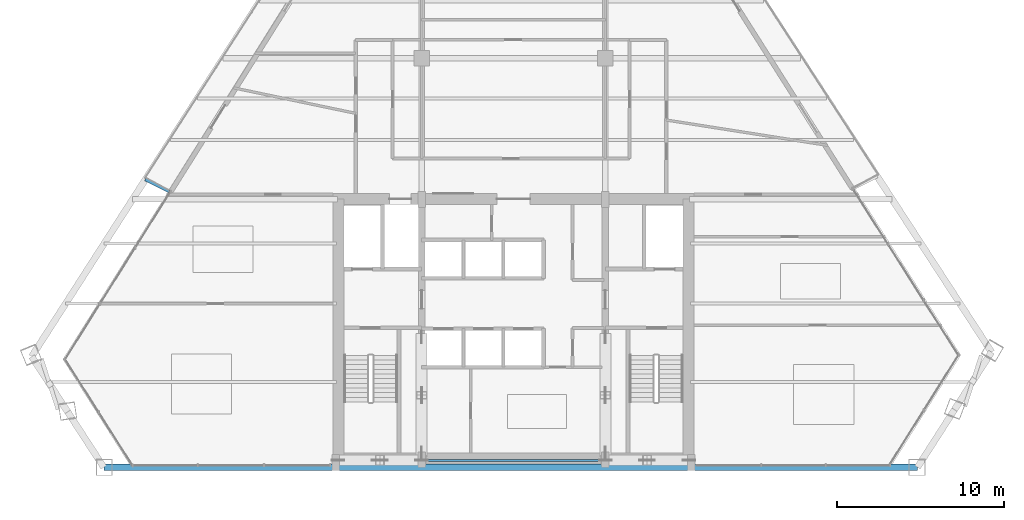
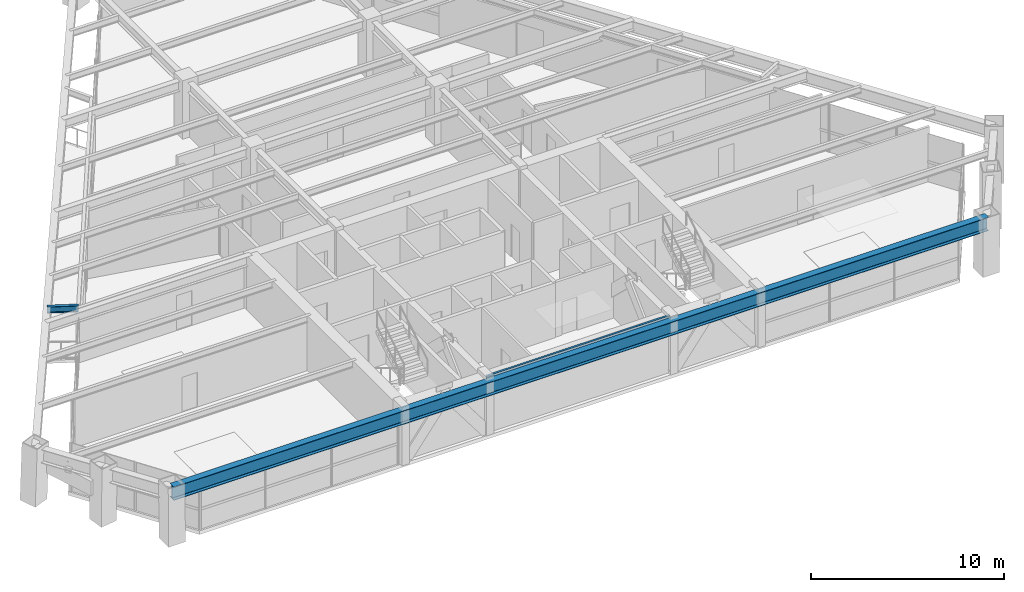
# One storey, part 3 of 15: 3 beams.
"""IFC4 building model written with IfcOpenShell, lengths in metres."""

import ifcopenshell
import ifcopenshell.guid

model = None  # the IFC model being written
_history = None  # IfcOwnerHistory: only IFC2X3 demands one
_inside = {}  # id of a spatial element -> (the spatial element, [elements in it])
_under = {}  # id of a project, library or spatial element -> (it, [spatial elements below it])
_declared = {}  # id of a project -> (the project, [libraries it declares])
_typed = {}  # id of a type object -> (the type object, [elements of that type])
_made_of = {}  # id of a material, layer set ... -> (it, [elements and type objects made of it])


def new_model(schema):
    """Start an empty IFC model of exactly this schema.

    Asked for "IFC4X3", IfcOpenShell would pick the latest addendum, in which some entities
    have other attributes; the version numbers below select the first issue.
    IFC2X3 requires an IfcOwnerHistory on every rooted entity: one is made here for all.
    """
    global model, _history
    if schema == "IFC4X3":
        model = ifcopenshell.file(schema_version=(4, 3, 0, 0))
    else:
        model = ifcopenshell.file(schema=schema)
    _inside.clear()
    _under.clear()
    _declared.clear()
    _typed.clear()
    _made_of.clear()
    _history = None
    if model.schema == "IFC2X3":
        org = make("IfcOrganization", Name="unknown")
        user = make(
            "IfcPersonAndOrganization",
            ThePerson=make("IfcPerson", FamilyName="unknown"),
            TheOrganization=org,
        )
        app = make(
            "IfcApplication",
            ApplicationDeveloper=org,
            Version="unknown",
            ApplicationFullName="unknown",
            ApplicationIdentifier="unknown",
        )
        _history = make(
            "IfcOwnerHistory",
            OwningUser=user,
            OwningApplication=app,
            ChangeAction="ADDED",
            CreationDate=0,
        )
    return model


def make(cls, **values):
    """One entity of the class cls with the attributes given. An attribute that is None is left unset."""
    return model.create_entity(
        cls, **{name: value for name, value in values.items() if value is not None}
    )


def rooted(cls, **values):
    """An entity with a GlobalId (a new one), such as an element, a storey or a relation."""
    return make(cls, GlobalId=ifcopenshell.guid.new(), OwnerHistory=_history, **values)


def si_unit(unit_type, name, prefix=None):
    """IfcSIUnit, for example si_unit("LENGTHUNIT", "METRE", prefix="MILLI")."""
    return make("IfcSIUnit", UnitType=unit_type, Prefix=prefix, Name=name)


def assignment(units):
    """IfcUnitAssignment: the units of a project."""
    return None if units is None else make("IfcUnitAssignment", Units=units)


def point(xyz):
    """IfcCartesianPoint."""
    return None if xyz is None else make("IfcCartesianPoint", Coordinates=xyz)


def direction(xyz):
    """IfcDirection."""
    return None if xyz is None else make("IfcDirection", DirectionRatios=xyz)


def frame(location, z_axis=None, x_axis=None):
    """IfcAxis2Placement3D, a coordinate frame: its origin and axes. An axis left out is left unset."""
    return make(
        "IfcAxis2Placement3D",
        Location=point(location),
        Axis=direction(z_axis),
        RefDirection=direction(x_axis),
    )


def frame_2d(location, x_axis=None):
    """IfcAxis2Placement2D, a coordinate frame in the plane: its origin and x axis."""
    return make(
        "IfcAxis2Placement2D", Location=point(location), RefDirection=direction(x_axis)
    )


def origin():
    """The frame at (0, 0, 0) with its axes left unset."""
    return frame((0.0, 0.0, 0.0))


def origin_2d():
    """The frame at (0, 0) in the plane with its x axis left unset."""
    return frame_2d((0.0, 0.0))


def place(relative_to, where):
    """IfcLocalPlacement: puts the frame where relative to a parent placement (None: the world)."""
    return make(
        "IfcLocalPlacement", PlacementRelTo=relative_to, RelativePlacement=where
    )


def context(
    kind, dimensions, precision=None, world=None, true_north=None, identifier=None
):
    """IfcGeometricRepresentationContext, for example the 3D "Model" context."""
    return make(
        "IfcGeometricRepresentationContext",
        ContextIdentifier=identifier,
        ContextType=kind,
        CoordinateSpaceDimension=dimensions,
        Precision=precision,
        WorldCoordinateSystem=world,
        TrueNorth=true_north,
    )


def subcontext(parent, identifier, kind, view, scale=None):
    """IfcGeometricRepresentationSubContext, for example "Body" below "Model"."""
    return make(
        "IfcGeometricRepresentationSubContext",
        ContextIdentifier=identifier,
        ContextType=kind,
        ParentContext=parent,
        TargetScale=scale,
        TargetView=view,
    )


def project(units=None, contexts=None):
    """IfcProject with its units and contexts."""
    return rooted(
        "IfcProject",
        Name="project",
        RepresentationContexts=contexts,
        UnitsInContext=assignment(units),
    )


def spatial(cls, under=None, at=None, **own):
    """A site, building, storey or space (cls), placed at a placement, below another one or the project."""
    s = rooted(cls, ObjectPlacement=at, **own)
    if under is not None:
        _under.setdefault(under.id(), (under, []))[1].append(s)
    return s


def profile(cls, at=None, kind="AREA", **sizes):
    """A parametric profile (cls). Its sizes go by their IFC names, for example OverallWidth=200.0."""
    return make(cls, ProfileType=kind, Position=at, **sizes)


def i_section(**sizes):
    """IfcIShapeProfileDef."""
    return profile("IfcIShapeProfileDef", **sizes)


def extrude(swept, where, along, depth):
    """IfcExtrudedAreaSolid: the profile swept, set in the frame where, extruded along a direction by depth."""
    return make(
        "IfcExtrudedAreaSolid",
        SweptArea=swept,
        Position=where,
        ExtrudedDirection=direction(along),
        Depth=depth,
    )


def shape(context_of_items, identifier, shape_type, items):
    """IfcShapeRepresentation: the items that make up one representation, for example the "Body"."""
    return make(
        "IfcShapeRepresentation",
        ContextOfItems=context_of_items,
        RepresentationIdentifier=identifier,
        RepresentationType=shape_type,
        Items=items,
    )


def source(mapping_origin, context_of_items, identifier, shape_type, items):
    """IfcRepresentationMap: a shape defined once, which mapped items show again and again."""
    return make(
        "IfcRepresentationMap",
        MappingOrigin=mapping_origin,
        MappedRepresentation=shape(context_of_items, identifier, shape_type, items),
    )


def transform(
    local_origin,
    x_axis=None,
    y_axis=None,
    z_axis=None,
    scale=None,
    scale2=None,
    scale3=None,
    uniform=True,
):
    """IfcCartesianTransformationOperator3D, or its non-uniform kind. x_axis, y_axis, z_axis: its Axis1, 2, 3."""
    if uniform:
        return make(
            "IfcCartesianTransformationOperator3D",
            Axis1=direction(x_axis),
            Axis2=direction(y_axis),
            LocalOrigin=point(local_origin),
            Scale=scale,
            Axis3=direction(z_axis),
        )
    return make(
        "IfcCartesianTransformationOperator3DnonUniform",
        Axis1=direction(x_axis),
        Axis2=direction(y_axis),
        LocalOrigin=point(local_origin),
        Scale=scale,
        Axis3=direction(z_axis),
        Scale2=scale2,
        Scale3=scale3,
    )


def mapped(mapping_source, mapping_target):
    """IfcMappedItem: shows the shape of a source again, moved by a transform."""
    return make(
        "IfcMappedItem", MappingSource=mapping_source, MappingTarget=mapping_target
    )


def material(Name=None, Category=None):
    """IfcMaterial."""
    return make("IfcMaterial", Name=Name, Category=Category)


def material_profile(
    of_material, cross_section, Name=None, Category=None, Priority=None
):
    """IfcMaterialProfile: a cross section and its material."""
    return make(
        "IfcMaterialProfile",
        Name=Name,
        Material=of_material,
        Profile=cross_section,
        Priority=Priority,
        Category=Category,
    )


def profile_set(profiles, Name=None, composite=None):
    """IfcMaterialProfileSet."""
    return make(
        "IfcMaterialProfileSet",
        Name=Name,
        MaterialProfiles=profiles,
        CompositeProfile=composite,
    )


def made_of(thing, what):
    """Note that an element or type object is made of a material, layer set ...; save() writes the relation."""
    if what is not None:
        _made_of.setdefault(what.id(), (what, []))[1].append(thing)
    return thing


def type_object(cls, material=None, **own):
    """A type object (cls), such as IfcWallType, which elements share."""
    return made_of(rooted(cls, **own), material)


def type_shapes(of_type, sources):
    """Give a type object the sources (RepresentationMaps) that its elements show as mapped items."""
    of_type.RepresentationMaps = sources


def element(
    cls,
    number,
    at=None,
    inside=None,
    cuts=None,
    type_object=None,
    material=None,
    context=None,
    identifier="Body",
    shape_type=None,
    held_by="IfcProductDefinitionShape",
    body=None,
    shapes=None,
    **own,
):
    """One element of the class cls, such as IfcWall. Its Tag is "e" and its number.

    at: its placement. inside: the storey or other place that contains it. cuts: it is an
    opening in that element (IfcRelVoidsElement). A single representation is given by context,
    identifier, shape_type and body (its items); several are given by shapes. held_by: the class
    of the entity that holds the representations. save() writes the other relations.
    """
    e = rooted(cls, Tag="e%d" % number, ObjectPlacement=at, **own)
    if body is not None:
        shapes = [shape(context, identifier, shape_type, body)]
    if shapes is not None:
        e.Representation = make(held_by, Representations=shapes)
    if inside is not None:
        _inside.setdefault(inside.id(), (inside, []))[1].append(e)
    if cuts is not None:
        rooted(
            "IfcRelVoidsElement", RelatingBuildingElement=cuts, RelatedOpeningElement=e
        )
    if type_object is not None:
        _typed.setdefault(type_object.id(), (type_object, []))[1].append(e)
    return made_of(e, material)


def aggregate(whole, parts):
    """IfcRelAggregates: a whole, such as a stair, and the parts it consists of."""
    return rooted("IfcRelAggregates", RelatingObject=whole, RelatedObjects=parts)


def save(model, path):
    """Write the relations noted so far, then the file.

    IfcRelAggregates (storeys below a building ...), IfcRelContainedInSpatialStructure (elements
    in a storey), IfcRelDefinesByType, IfcRelAssociatesMaterial and IfcRelDeclares: one each for
    every whole, place, type object, material and project.
    """
    for whole, parts in _under.values():
        aggregate(whole, parts)
    for where, things in _inside.values():
        rooted(
            "IfcRelContainedInSpatialStructure",
            RelatedElements=things,
            RelatingStructure=where,
        )
    for kind, things in _typed.values():
        rooted("IfcRelDefinesByType", RelatedObjects=things, RelatingType=kind)
    for what, things in _made_of.values():
        rooted("IfcRelAssociatesMaterial", RelatedObjects=things, RelatingMaterial=what)
    for by, libraries in _declared.values():
        rooted("IfcRelDeclares", RelatingContext=by, RelatedDefinitions=libraries)
    model.write(path)


model = new_model("IFC4")

# Units and contexts
model_context = context("Model", 3, precision=1e-05, world=origin(), true_north=direction((0.0, 1.0)))
body_context = subcontext(model_context, "Body", "Model", "MODEL_VIEW")
ifc_project = project(units=[si_unit("LENGTHUNIT", "METRE"), si_unit("AREAUNIT", "SQUARE_METRE"), si_unit("VOLUMEUNIT", "CUBIC_METRE"), si_unit("PLANEANGLEUNIT", "RADIAN"), si_unit("MASSUNIT", "GRAM", prefix="KILO")], contexts=[model_context])

# Site, building, storey
site_placement = place(None, origin())
site = spatial("IfcSite", under=ifc_project, at=site_placement, CompositionType="ELEMENT")
building_placement = place(site_placement, origin())
building = spatial("IfcBuilding", under=site, at=building_placement, Name="Varnakhor Terracotta Tower", CompositionType="ELEMENT")
storey_placement = place(building_placement, frame((0.0, 0.0, 174.699951171875)))
storey = spatial("IfcBuildingStorey", under=building, at=storey_placement, Name="L44", CompositionType="ELEMENT", Elevation=174.699951171875)

# Beams
ifc_material = material(Name="Steel S355", Category="steel")
ifc_material_profile_1 = material_profile(ifc_material, i_section(OverallWidth=0.1201171875, OverallDepth=0.239990234375, WebThickness=0.006103515625, FlangeThickness=0.009765625, FilletRadius=0.01806640625, at=origin_2d()), Name="IPE240")
ifc_profile_set_1 = profile_set([ifc_material_profile_1], Name="Steel S355")
beam_type_1 = type_object("IfcBeamType", Name="LNT-IPE240", PredefinedType="LINTEL", material=ifc_profile_set_1)
shared_shape_1 = source(origin(), body_context, "Body", "SweptSolid", [
    extrude(i_section(OverallWidth=0.1201171875, OverallDepth=0.239990234375, WebThickness=0.006103515625, FlangeThickness=0.009765625, FilletRadius=0.01806640625, at=origin_2d()), origin(), (0.0, 0.0, 1.0), 11.0),
])
type_shapes(beam_type_1, [shared_shape_1])
beam_1_placement = place(storey_placement, frame((-5.5, 0.419921875, 3.35009765625), z_axis=(1.0, 0.0, 0.0), x_axis=(0.0, 1.0, 0.0)))
element("IfcBeam", 1, at=beam_1_placement, inside=storey, type_object=beam_type_1, Name="L44 Core South Coupling Lintel", PredefinedType="LINTEL", context=body_context, shape_type="MappedRepresentation", body=[
    mapped(shared_shape_1, transform((0.0, 0.0, 0.0), scale=1.0)),
])
ifc_material_profile_2 = material_profile(ifc_material, i_section(OverallWidth=0.39990234375, OverallDepth=0.85498046875, WebThickness=0.01806640625, FlangeThickness=0.029052734375, FilletRadius=0.01806640625, at=origin_2d()), Name="W33X201")
ifc_profile_set_2 = profile_set([ifc_material_profile_2], Name="Steel S355")
beam_type_2 = type_object("IfcBeamType", Name="BM-W33X201", PredefinedType="BEAM", material=ifc_profile_set_2)
shared_shape_2 = source(origin(), body_context, "Body", "SweptSolid", [
    extrude(i_section(OverallWidth=0.39990234375, OverallDepth=0.85498046875, WebThickness=0.01806640625, FlangeThickness=0.029052734375, FilletRadius=0.01806640625, at=origin_2d()), origin(), (0.0, 0.0, 1.0), 48.734130859375),
])
beam_2_placement = place(storey_placement, frame((-24.5390625, 0.0, 3.04248046875), z_axis=(1.0, 0.0, 0.0), x_axis=(0.0, 1.0, 0.0)))
element("IfcBeam", 2, at=beam_2_placement, inside=storey, type_object=beam_type_2, Name="L44 Perimeter Spandrel 1", PredefinedType="BEAM", context=body_context, shape_type="MappedRepresentation", body=[
    mapped(shared_shape_2, transform((0.0, 0.0, 0.0), scale=1.0)),
])
ifc_material_profile_3 = material_profile(ifc_material, i_section(OverallWidth=0.179931640625, OverallDepth=0.39990234375, WebThickness=0.008544921875, FlangeThickness=0.013427734375, FilletRadius=0.01806640625, at=origin_2d()), Name="IPE400")
ifc_profile_set_3 = profile_set([ifc_material_profile_3], Name="Steel S355")
beam_type_3 = type_object("IfcBeamType", Name="JST-IPE400", PredefinedType="JOIST", material=ifc_profile_set_3)
shared_shape_3 = source(origin(), body_context, "Body", "SweptSolid", [
    extrude(i_section(OverallWidth=0.179931640625, OverallDepth=0.39990234375, WebThickness=0.008544921875, FlangeThickness=0.013427734375, FilletRadius=0.01806640625, at=origin_2d()), origin(), (0.0, 0.0, 1.0), 1.62939453125),
])
beam_3_placement = place(storey_placement, frame((-20.590087890625, 16.51220703125, 3.27001953125), z_axis=(-0.896039600703, 0.443974136603, 0.0), x_axis=(-0.443974136603, -0.896039600703, 0.0)))
element("IfcBeam", 3, at=beam_3_placement, inside=storey, type_object=beam_type_3, Name="L45 W Loggia Tie Beam 1", PredefinedType="JOIST", context=body_context, shape_type="MappedRepresentation", body=[
    mapped(shared_shape_3, transform((0.0, 0.0, 0.0), scale=1.0)),
])

save(model, "model.ifc")
